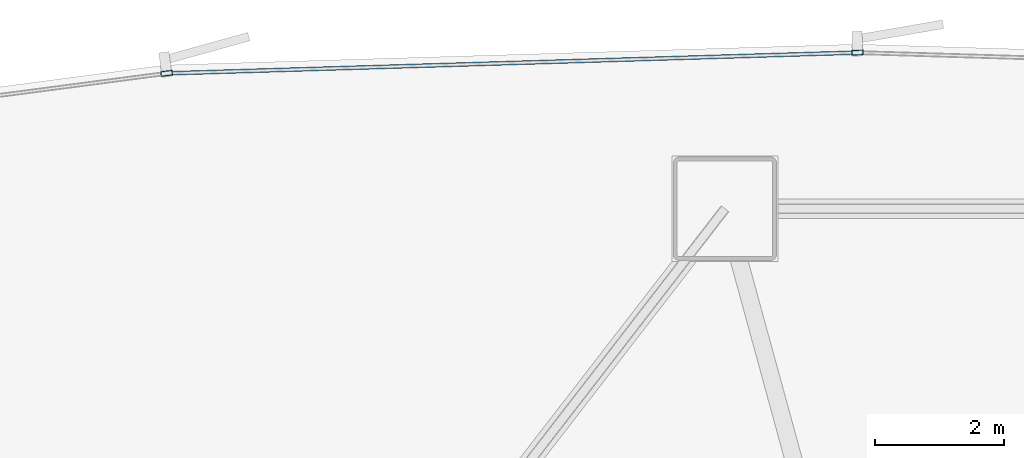
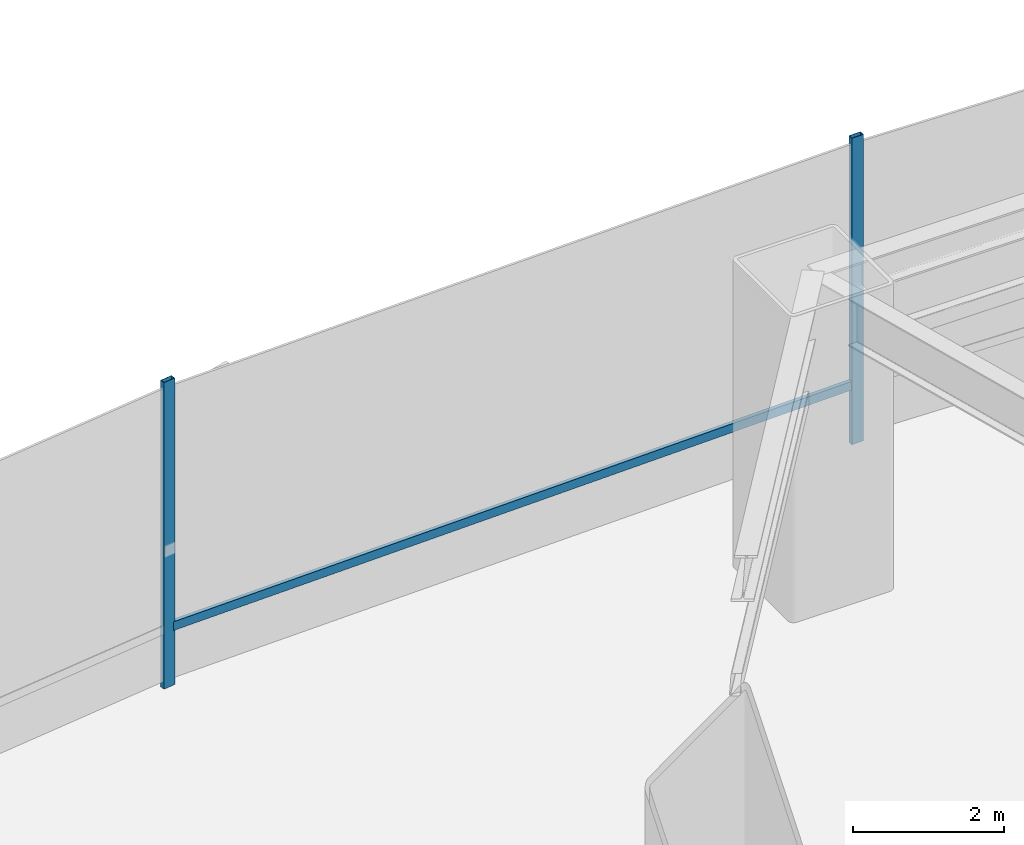
# One storey, part 11 of 35: 3 members, 1 element without a shape of its own.
"""IFC4 building model written with IfcOpenShell, lengths in metres."""

from ifc_helpers import new_model, si_unit, direction, frame, origin, origin_2d, place, context, subcontext, project, spatial, hollow_rectangle, extrude, source, transform, mapped, material, layer, layer_set, material_profile, profile_set, type_object, element, aggregate, save


model = new_model("IFC4")

# Units and contexts
model_context = context("Model", 3, precision=1e-05, world=origin(), true_north=direction((0.0, 1.0)))
body_context = subcontext(model_context, "Body", "Model", "MODEL_VIEW")
ifc_project = project(units=[si_unit("LENGTHUNIT", "METRE"), si_unit("AREAUNIT", "SQUARE_METRE"), si_unit("VOLUMEUNIT", "CUBIC_METRE"), si_unit("PLANEANGLEUNIT", "RADIAN"), si_unit("MASSUNIT", "GRAM", prefix="KILO"), si_unit("THERMODYNAMICTEMPERATUREUNIT", "KELVIN")], contexts=[model_context])

# Site, building, storey
site_placement = place(None, origin())
site = spatial("IfcSite", under=ifc_project, at=site_placement, CompositionType="ELEMENT")
building_placement = place(site_placement, origin())
building = spatial("IfcBuilding", under=site, at=building_placement, Name="Kethvar Cultural Tower", CompositionType="ELEMENT")
storey_placement = place(building_placement, origin())
storey = spatial("IfcBuildingStorey", under=building, at=storey_placement, Name="L00", CompositionType="ELEMENT", Elevation=0.0)

# Curtain wall, members
ifc_material = material(Name="Aluminium 6063-T6", Category="aluminium")
ifc_layer = layer(ifc_material, 0.179931640625, Name="Aluminium 6063-T6", Category="aluminium")
ifc_layer_set = layer_set([ifc_layer], Name="Aluminium 6063-T6 (180 mm)")
curtain_wall_type = type_object("IfcCurtainWallType", Name="CW-SYS-01-POD", PredefinedType="NOTDEFINED", material=ifc_layer_set)
curtain_wall_placement = place(storey_placement, origin())
curtain_wall = element("IfcCurtainWall", 1, at=curtain_wall_placement, inside=storey, type_object=curtain_wall_type, Name="L00 Curtain Wall Run 02", PredefinedType="NOTDEFINED")
ifc_material_profile_1 = material_profile(ifc_material, hollow_rectangle(XDim=0.074951171875, YDim=0.179931640625, WallThickness=0.006103515625, at=origin_2d()), Name="Aluminium 6063-T6 — RHS180x75x6")
ifc_profile_set_1 = profile_set([ifc_material_profile_1], Name="Aluminium 6063-T6 — RHS180x75x6")
member_type_1 = type_object("IfcMemberType", Name="CW-SYS-01-POD-MUL", PredefinedType="MULLION", material=ifc_profile_set_1)
shared_shape_1 = source(origin(), body_context, "Body", "SweptSolid", [
    extrude(hollow_rectangle(XDim=0.074951171875, YDim=0.179931640625, WallThickness=0.006103515625, at=origin_2d()), origin(), (0.0, 0.0, 1.0), 4.949951171875),
])
member_1_placement = place(storey_placement, frame((42.00390625, 55.27001953125, 0.0), z_axis=(0.0, 0.0, 1.0), x_axis=(0.030137272261, -0.999545769248, 0.0)))
member_1 = element("IfcMember", 2, at=member_1_placement, type_object=member_type_1, Name="CW-L00-R02 Mullion 2", PredefinedType="MULLION", context=body_context, shape_type="MappedRepresentation", body=[
    mapped(shared_shape_1, transform((0.0, 0.0, 0.0), scale=1.0)),
])
member_2_placement = place(storey_placement, frame((31.301025390625, 54.947998046875, 0.0), z_axis=(0.0, 0.0, 1.0), x_axis=(0.130647319086, -0.991428907192, 0.0)))
member_2 = element("IfcMember", 3, at=member_2_placement, type_object=member_type_1, Name="CW-L00-R02 Mullion 3", PredefinedType="MULLION", context=body_context, shape_type="MappedRepresentation", body=[
    mapped(shared_shape_1, transform((0.0, 0.0, 0.0), scale=1.0)),
])
ifc_material_profile_2 = material_profile(ifc_material, hollow_rectangle(XDim=0.06005859375, YDim=0.139892578125, WallThickness=0.0048828125, at=origin_2d()), Name="Aluminium 6063-T6 — RHS140x60x5")
ifc_profile_set_2 = profile_set([ifc_material_profile_2], Name="Aluminium 6063-T6 — RHS140x60x5")
member_type_2 = type_object("IfcMemberType", Name="CW-SYS-01-POD-TRN", PredefinedType="USERDEFINED", material=ifc_profile_set_2)
shared_shape_2 = source(origin(), body_context, "Body", "SweptSolid", [
    extrude(hollow_rectangle(XDim=0.06005859375, YDim=0.139892578125, WallThickness=0.0048828125, at=origin_2d()), origin(), (0.0, 0.0, 1.0), 10.61279296875),
])
member_3_placement = place(storey_placement, frame((41.949951171875, 55.268310546875, 0.949951171875), z_axis=(-0.999545810513, -0.030135903608, 0.0), x_axis=(0.030135903608, -0.999545810513, 0.0)))
member_3 = element("IfcMember", 4, at=member_3_placement, type_object=member_type_2, Name="CW-L00-R02 Transom 2", ObjectType="TRANSOM", PredefinedType="USERDEFINED", context=body_context, shape_type="MappedRepresentation", body=[
    mapped(shared_shape_2, transform((0.0, 0.0, 0.0), scale=1.0)),
])
aggregate(curtain_wall, [member_1, member_2, member_3])

save(model, "model.ifc")
